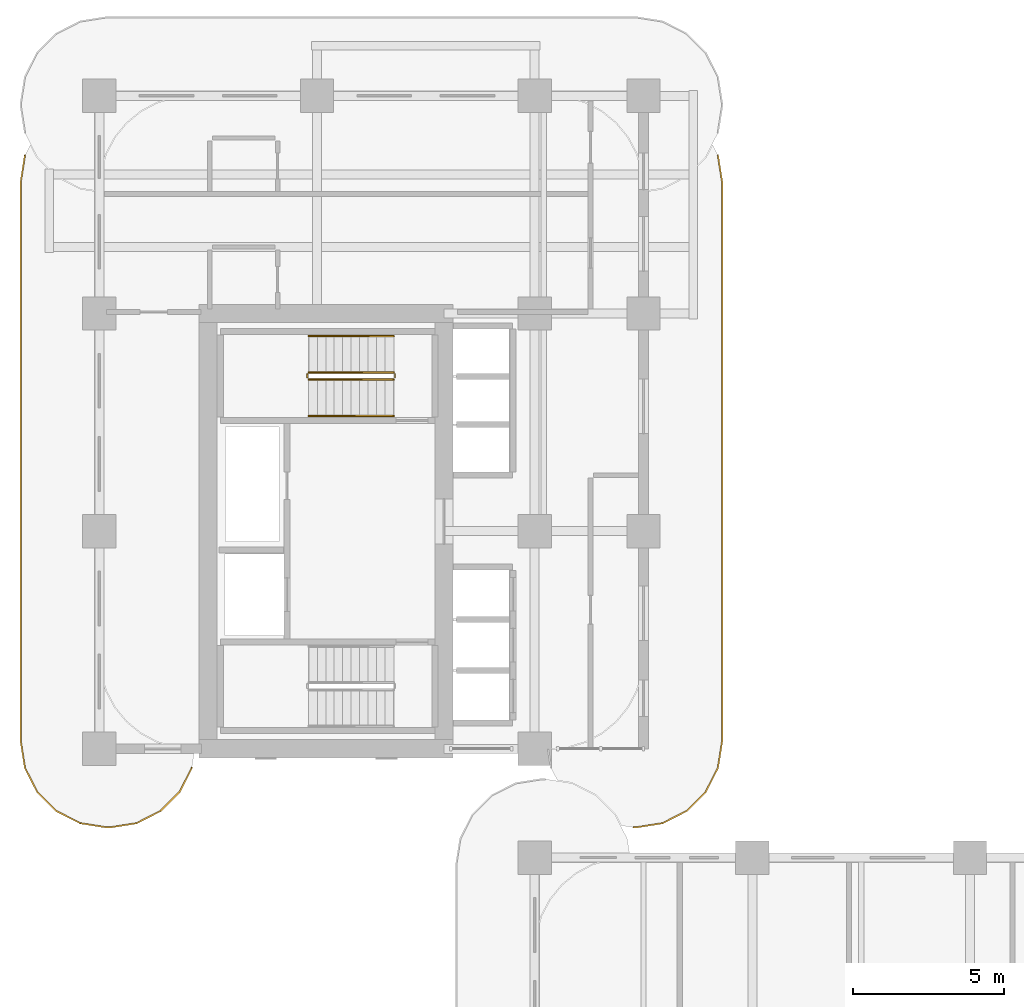
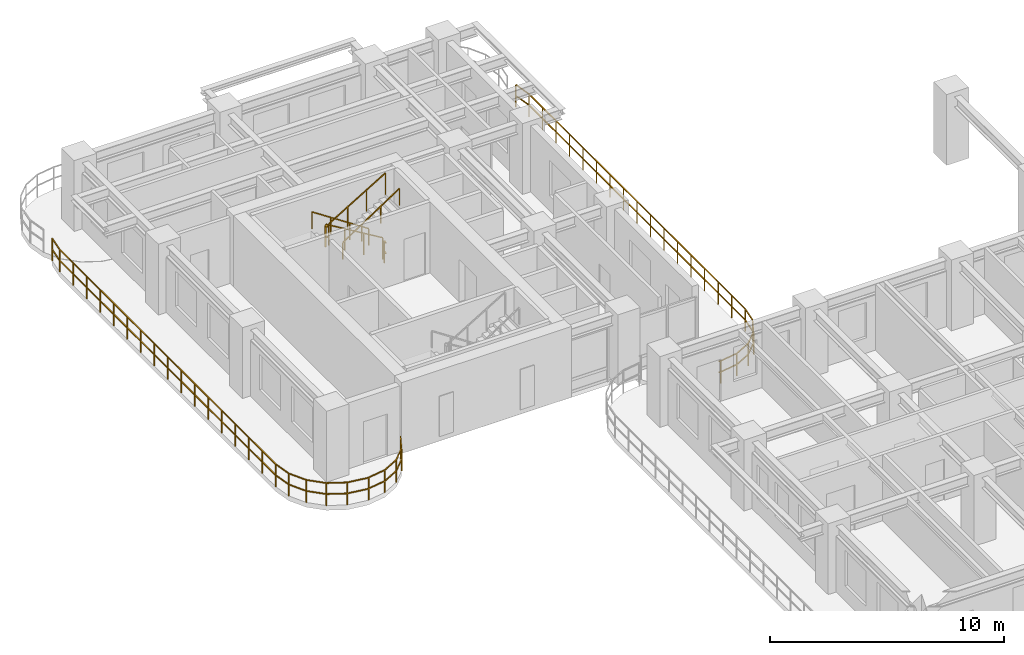
# One storey, part 18 of 19: 8 railings.
"""IFC4 building model written with IfcOpenShell, lengths in metres."""

from ifc_helpers import new_model, si_unit, derived_unit, direction, frame, origin, origin_2d, place, context, subcontext, project, spatial, rectangle, extrude, material, type_object, element, save


model = new_model("IFC4")

# Units and contexts
model_context = context("Model", 3, precision=1e-05, world=origin(), true_north=direction((0.0, 1.0)))
body_context = subcontext(model_context, "Body", "Model", "MODEL_VIEW")
ifc_project = project(units=[si_unit("LENGTHUNIT", "METRE"), si_unit("AREAUNIT", "SQUARE_METRE"), si_unit("VOLUMEUNIT", "CUBIC_METRE"), si_unit("PLANEANGLEUNIT", "RADIAN"), si_unit("MASSUNIT", "GRAM", prefix="KILO"), si_unit("THERMODYNAMICTEMPERATUREUNIT", "KELVIN"), si_unit("POWERUNIT", "WATT"), derived_unit("THERMALTRANSMITTANCEUNIT", [(si_unit("POWERUNIT", "WATT"), 1), (si_unit("AREAUNIT", "SQUARE_METRE"), -1), (si_unit("THERMODYNAMICTEMPERATUREUNIT", "KELVIN"), -1)])], contexts=[model_context])

# Site, building, storey
site_placement = place(None, origin())
site = spatial("IfcSite", under=ifc_project, at=site_placement, CompositionType="ELEMENT")
building_placement = place(site_placement, origin())
building = spatial("IfcBuilding", under=site, at=building_placement, Name="Zahravan Archway Hotel and Residences", CompositionType="ELEMENT")
storey_placement = place(building_placement, frame((0.0, 0.0, 54.60009765625)))
storey = spatial("IfcBuildingStorey", under=building, at=storey_placement, Name="L12", CompositionType="ELEMENT", Elevation=54.60009765625)

# Railings
ifc_material_1 = material(Name="Bronze & Laminated Glass Balustrade", Category="glass")
railing_type_1 = type_object("IfcRailingType", Name="RL-BAL-1200", PredefinedType="BALUSTRADE", material=ifc_material_1)
railing_1_placement = place(storey_placement, frame((3.060546875, 24.5693359375, 0.0)))
element("IfcRailing", 1, at=railing_1_placement, inside=storey, type_object=railing_type_1, Name="L12 Balustrade RL-SLB-BAL-L12-WB-1", PredefinedType="BALUSTRADE", context=body_context, shape_type="SweptSolid", body=[
    extrude(rectangle(XDim=0.048095703125, YDim=0.048095703125, at=origin_2d()), frame((0.0, 0.0, 1.17578125), z_axis=(-0.453991409995, -0.891006060389, 0.0), x_axis=(0.891006060389, -0.453991409995, 0.0)), (0.0, 0.0, 1.0), 0.8916015625),
    extrude(rectangle(XDim=0.048095703125, YDim=0.048095703125, at=origin_2d()), frame((0.0, 0.0, 0.60009765625), z_axis=(-0.453991409995, -0.891006060389, 0.0), x_axis=(0.891006060389, -0.453991409995, 0.0)), (0.0, 0.0, 1.0), 0.8916015625),
    extrude(rectangle(XDim=0.048095703125, YDim=0.048095703125, at=origin_2d()), frame((-0.40478515625, -0.79443359375, 1.17578125), z_axis=(-0.707106781187, -0.707106781187, 0.0), x_axis=(0.707106781187, -0.707106781187, 0.0)), (0.0, 0.0, 1.0), 0.891845703125),
    extrude(rectangle(XDim=0.048095703125, YDim=0.048095703125, at=origin_2d()), frame((-0.40478515625, -0.79443359375, 0.60009765625), z_axis=(-0.707106781187, -0.707106781187, 0.0), x_axis=(0.707106781187, -0.707106781187, 0.0)), (0.0, 0.0, 1.0), 0.891845703125),
    extrude(rectangle(XDim=0.048095703125, YDim=0.048095703125, at=origin_2d()), frame((-1.035400390625, -1.425048828125, 1.17578125), z_axis=(-0.891006060389, -0.453991409995, 0.0), x_axis=(0.453991409995, -0.891006060389, 0.0)), (0.0, 0.0, 1.0), 0.8916015625),
    extrude(rectangle(XDim=0.048095703125, YDim=0.048095703125, at=origin_2d()), frame((-1.035400390625, -1.425048828125, 0.60009765625), z_axis=(-0.891006060389, -0.453991409995, 0.0), x_axis=(0.453991409995, -0.891006060389, 0.0)), (0.0, 0.0, 1.0), 0.8916015625),
    extrude(rectangle(XDim=0.048095703125, YDim=0.048095703125, at=origin_2d()), frame((-1.829833984375, -1.829833984375, 1.17578125), z_axis=(-0.987700720307, -0.156356282588, 0.0), x_axis=(0.156356282588, -0.987700720307, 0.0)), (0.0, 0.0, 1.0), 0.8916015625),
    extrude(rectangle(XDim=0.048095703125, YDim=0.048095703125, at=origin_2d()), frame((-1.829833984375, -1.829833984375, 0.60009765625), z_axis=(-0.987700720307, -0.156356282588, 0.0), x_axis=(0.156356282588, -0.987700720307, 0.0)), (0.0, 0.0, 1.0), 0.8916015625),
    extrude(rectangle(XDim=0.048095703125, YDim=0.048095703125, at=origin_2d()), frame((-2.71044921875, -1.96923828125, 1.17578125), z_axis=(-1.0, 0.0, 0.0), x_axis=(0.0, -1.0, 0.0)), (0.0, 0.0, 1.0), 0.10009765625),
    extrude(rectangle(XDim=0.048095703125, YDim=0.048095703125, at=origin_2d()), frame((-2.71044921875, -1.96923828125, 0.60009765625), z_axis=(-1.0, 0.0, 0.0), x_axis=(0.0, -1.0, 0.0)), (0.0, 0.0, 1.0), 0.10009765625),
    extrude(rectangle(XDim=0.048095703125, YDim=0.048095703125, at=origin_2d()), frame((-2.810546875, -1.96923828125, 1.17578125), z_axis=(-0.987700720307, 0.156356282588, 0.0), x_axis=(-0.156356282588, -0.987700720307, 0.0)), (0.0, 0.0, 1.0), 0.8916015625),
    extrude(rectangle(XDim=0.048095703125, YDim=0.048095703125, at=origin_2d()), frame((-2.810546875, -1.96923828125, 0.60009765625), z_axis=(-0.987700720307, 0.156356282588, 0.0), x_axis=(-0.156356282588, -0.987700720307, 0.0)), (0.0, 0.0, 1.0), 0.8916015625),
    extrude(rectangle(XDim=0.048095703125, YDim=0.048095703125, at=origin_2d()), frame((-3.691162109375, -1.829833984375, 1.17578125), z_axis=(-0.891062476022, 0.45388067135, 0.0), x_axis=(-0.45388067135, -0.891062476022, 0.0)), (0.0, 0.0, 1.0), 0.891845703125),
    extrude(rectangle(XDim=0.048095703125, YDim=0.048095703125, at=origin_2d()), frame((-3.691162109375, -1.829833984375, 0.60009765625), z_axis=(-0.891062476022, 0.45388067135, 0.0), x_axis=(-0.45388067135, -0.891062476022, 0.0)), (0.0, 0.0, 1.0), 0.891845703125),
    extrude(rectangle(XDim=0.048095703125, YDim=0.048095703125, at=origin_2d()), frame((-4.48583984375, -1.425048828125, 1.17578125), z_axis=(-0.706969864397, 0.70724367147, 0.0), x_axis=(-0.70724367147, -0.706969864397, 0.0)), (0.0, 0.0, 1.0), 0.8916015625),
    extrude(rectangle(XDim=0.048095703125, YDim=0.048095703125, at=origin_2d()), frame((-4.48583984375, -1.425048828125, 0.60009765625), z_axis=(-0.706969864397, 0.70724367147, 0.0), x_axis=(-0.70724367147, -0.706969864397, 0.0)), (0.0, 0.0, 1.0), 0.8916015625),
    extrude(rectangle(XDim=0.048095703125, YDim=0.048095703125, at=origin_2d()), frame((-5.1162109375, -0.79443359375, 1.17578125), z_axis=(-0.453991409995, 0.891006060389, 0.0), x_axis=(-0.891006060389, -0.453991409995, 0.0)), (0.0, 0.0, 1.0), 0.8916015625),
    extrude(rectangle(XDim=0.048095703125, YDim=0.048095703125, at=origin_2d()), frame((-5.1162109375, -0.79443359375, 0.60009765625), z_axis=(-0.453991409995, 0.891006060389, 0.0), x_axis=(-0.891006060389, -0.453991409995, 0.0)), (0.0, 0.0, 1.0), 0.8916015625),
    extrude(rectangle(XDim=0.048095703125, YDim=0.048095703125, at=origin_2d()), frame((-5.52099609375, 0.0, 1.17578125), z_axis=(-0.156623399917, 0.987658397726, 0.0), x_axis=(-0.987658397726, -0.156623399917, 0.0)), (0.0, 0.0, 1.0), 0.8916015625),
    extrude(rectangle(XDim=0.048095703125, YDim=0.048095703125, at=origin_2d()), frame((-5.52099609375, 0.0, 0.60009765625), z_axis=(-0.156623399917, 0.987658397726, 0.0), x_axis=(-0.987658397726, -0.156623399917, 0.0)), (0.0, 0.0, 1.0), 0.8916015625),
    extrude(rectangle(XDim=0.048095703125, YDim=0.048095703125, at=origin_2d()), frame((-5.66064453125, 0.880615234375, 1.17578125), z_axis=(0.0, 1.0, 0.0), x_axis=(-1.0, 0.0, 0.0)), (0.0, 0.0, 1.0), 18.5),
    extrude(rectangle(XDim=0.048095703125, YDim=0.048095703125, at=origin_2d()), frame((-5.66064453125, 0.880615234375, 0.60009765625), z_axis=(0.0, 1.0, 0.0), x_axis=(-1.0, 0.0, 0.0)), (0.0, 0.0, 1.0), 18.5),
    extrude(rectangle(XDim=0.048095703125, YDim=0.048095703125, at=origin_2d()), frame((-5.66064453125, 19.380615234375, 1.17578125), z_axis=(0.156581054338, 0.98766511198, 0.0), x_axis=(-0.98766511198, 0.156581054338, 0.0)), (0.0, 0.0, 1.0), 0.891845703125),
    extrude(rectangle(XDim=0.048095703125, YDim=0.048095703125, at=origin_2d()), frame((-5.66064453125, 19.380615234375, 0.60009765625), z_axis=(0.156581054338, 0.98766511198, 0.0), x_axis=(-0.98766511198, 0.156581054338, 0.0)), (0.0, 0.0, 1.0), 0.891845703125),
    extrude(rectangle(XDim=0.0419921875, YDim=0.0419921875, at=origin_2d()), origin(), (0.0, 0.0, 1.0), 1.15185546875),
    extrude(rectangle(XDim=0.0419921875, YDim=0.0419921875, at=origin_2d()), frame((-0.40478515625, -0.79443359375, 0.0)), (0.0, 0.0, 1.0), 1.15185546875),
    extrude(rectangle(XDim=0.0419921875, YDim=0.0419921875, at=origin_2d()), frame((-1.035400390625, -1.425048828125, 0.0)), (0.0, 0.0, 1.0), 1.15185546875),
    extrude(rectangle(XDim=0.0419921875, YDim=0.0419921875, at=origin_2d()), frame((-1.829833984375, -1.829833984375, 0.0)), (0.0, 0.0, 1.0), 1.15185546875),
    extrude(rectangle(XDim=0.0419921875, YDim=0.0419921875, at=origin_2d()), frame((-2.71044921875, -1.96923828125, 0.0)), (0.0, 0.0, 1.0), 1.15185546875),
    extrude(rectangle(XDim=0.0419921875, YDim=0.0419921875, at=origin_2d()), frame((-3.691162109375, -1.829833984375, 0.0)), (0.0, 0.0, 1.0), 1.15185546875),
    extrude(rectangle(XDim=0.0419921875, YDim=0.0419921875, at=origin_2d()), frame((-4.48583984375, -1.425048828125, 0.0)), (0.0, 0.0, 1.0), 1.15185546875),
    extrude(rectangle(XDim=0.0419921875, YDim=0.0419921875, at=origin_2d()), frame((-5.1162109375, -0.79443359375, 0.0)), (0.0, 0.0, 1.0), 1.15185546875),
    extrude(rectangle(XDim=0.0419921875, YDim=0.0419921875, at=origin_2d()), frame((-5.52099609375, 0.0, 0.0)), (0.0, 0.0, 1.0), 1.15185546875),
    extrude(rectangle(XDim=0.0419921875, YDim=0.0419921875, at=origin_2d()), frame((-5.66064453125, 0.880615234375, 0.0)), (0.0, 0.0, 1.0), 1.15185546875),
    extrude(rectangle(XDim=0.0419921875, YDim=0.0419921875, at=origin_2d()), frame((-5.66064453125, 2.036865234375, 0.0)), (0.0, 0.0, 1.0), 1.15185546875),
    extrude(rectangle(XDim=0.0419921875, YDim=0.0419921875, at=origin_2d()), frame((-5.66064453125, 3.193115234375, 0.0)), (0.0, 0.0, 1.0), 1.15185546875),
    extrude(rectangle(XDim=0.0419921875, YDim=0.0419921875, at=origin_2d()), frame((-5.66064453125, 4.349365234375, 0.0)), (0.0, 0.0, 1.0), 1.15185546875),
    extrude(rectangle(XDim=0.0419921875, YDim=0.0419921875, at=origin_2d()), frame((-5.66064453125, 5.505615234375, 0.0)), (0.0, 0.0, 1.0), 1.15185546875),
    extrude(rectangle(XDim=0.0419921875, YDim=0.0419921875, at=origin_2d()), frame((-5.66064453125, 6.661865234375, 0.0)), (0.0, 0.0, 1.0), 1.15185546875),
    extrude(rectangle(XDim=0.0419921875, YDim=0.0419921875, at=origin_2d()), frame((-5.66064453125, 7.818115234375, 0.0)), (0.0, 0.0, 1.0), 1.15185546875),
    extrude(rectangle(XDim=0.0419921875, YDim=0.0419921875, at=origin_2d()), frame((-5.66064453125, 8.974365234375, 0.0)), (0.0, 0.0, 1.0), 1.15185546875),
    extrude(rectangle(XDim=0.0419921875, YDim=0.0419921875, at=origin_2d()), frame((-5.66064453125, 10.130615234375, 0.0)), (0.0, 0.0, 1.0), 1.15185546875),
    extrude(rectangle(XDim=0.0419921875, YDim=0.0419921875, at=origin_2d()), frame((-5.66064453125, 11.286865234375, 0.0)), (0.0, 0.0, 1.0), 1.15185546875),
    extrude(rectangle(XDim=0.0419921875, YDim=0.0419921875, at=origin_2d()), frame((-5.66064453125, 12.443115234375, 0.0)), (0.0, 0.0, 1.0), 1.15185546875),
    extrude(rectangle(XDim=0.0419921875, YDim=0.0419921875, at=origin_2d()), frame((-5.66064453125, 13.599365234375, 0.0)), (0.0, 0.0, 1.0), 1.15185546875),
    extrude(rectangle(XDim=0.0419921875, YDim=0.0419921875, at=origin_2d()), frame((-5.66064453125, 14.755615234375, 0.0)), (0.0, 0.0, 1.0), 1.15185546875),
    extrude(rectangle(XDim=0.0419921875, YDim=0.0419921875, at=origin_2d()), frame((-5.66064453125, 15.911865234375, 0.0)), (0.0, 0.0, 1.0), 1.15185546875),
    extrude(rectangle(XDim=0.0419921875, YDim=0.0419921875, at=origin_2d()), frame((-5.66064453125, 17.068115234375, 0.0)), (0.0, 0.0, 1.0), 1.15185546875),
    extrude(rectangle(XDim=0.0419921875, YDim=0.0419921875, at=origin_2d()), frame((-5.66064453125, 18.224365234375, 0.0)), (0.0, 0.0, 1.0), 1.15185546875),
    extrude(rectangle(XDim=0.0419921875, YDim=0.0419921875, at=origin_2d()), frame((-5.66064453125, 19.380615234375, 0.0)), (0.0, 0.0, 1.0), 1.15185546875),
    extrude(rectangle(XDim=0.0419921875, YDim=0.0419921875, at=origin_2d()), frame((-5.52099609375, 20.261474609375, 0.0)), (0.0, 0.0, 1.0), 1.15185546875),
])
railing_2_placement = place(storey_placement, frame((20.46044921875, 44.830810546875, 0.0)))
element("IfcRailing", 2, at=railing_2_placement, inside=storey, type_object=railing_type_1, Name="L12 Balustrade RL-SLB-BAL-L12-EB-2", PredefinedType="BALUSTRADE", context=body_context, shape_type="SweptSolid", body=[
    extrude(rectangle(XDim=0.048095703125, YDim=0.048095703125, at=origin_2d()), frame((0.0, 0.0, 1.17578125), z_axis=(0.156581054338, -0.98766511198, 0.0), x_axis=(0.98766511198, 0.156581054338, 0.0)), (0.0, 0.0, 1.0), 0.891845703125),
    extrude(rectangle(XDim=0.048095703125, YDim=0.048095703125, at=origin_2d()), frame((0.0, 0.0, 0.60009765625), z_axis=(0.156581054338, -0.98766511198, 0.0), x_axis=(0.98766511198, 0.156581054338, 0.0)), (0.0, 0.0, 1.0), 0.891845703125),
    extrude(rectangle(XDim=0.048095703125, YDim=0.048095703125, at=origin_2d()), frame((0.1396484375, -0.880859375, 1.17578125), z_axis=(0.0, -1.0, 0.0), x_axis=(1.0, 0.0, 0.0)), (0.0, 0.0, 1.0), 18.5),
    extrude(rectangle(XDim=0.048095703125, YDim=0.048095703125, at=origin_2d()), frame((0.1396484375, -0.880859375, 0.60009765625), z_axis=(0.0, -1.0, 0.0), x_axis=(1.0, 0.0, 0.0)), (0.0, 0.0, 1.0), 18.5),
    extrude(rectangle(XDim=0.048095703125, YDim=0.048095703125, at=origin_2d()), frame((0.1396484375, -19.380859375, 1.17578125), z_axis=(-0.156623399917, -0.987658397726, 0.0), x_axis=(0.987658397726, -0.156623399917, 0.0)), (0.0, 0.0, 1.0), 0.8916015625),
    extrude(rectangle(XDim=0.048095703125, YDim=0.048095703125, at=origin_2d()), frame((0.1396484375, -19.380859375, 0.60009765625), z_axis=(-0.156623399917, -0.987658397726, 0.0), x_axis=(0.987658397726, -0.156623399917, 0.0)), (0.0, 0.0, 1.0), 0.8916015625),
    extrude(rectangle(XDim=0.048095703125, YDim=0.048095703125, at=origin_2d()), frame((0.0, -20.261474609375, 1.17578125), z_axis=(-0.453991409995, -0.891006060389, 0.0), x_axis=(0.891006060389, -0.453991409995, 0.0)), (0.0, 0.0, 1.0), 0.8916015625),
    extrude(rectangle(XDim=0.048095703125, YDim=0.048095703125, at=origin_2d()), frame((0.0, -20.261474609375, 0.60009765625), z_axis=(-0.453991409995, -0.891006060389, 0.0), x_axis=(0.891006060389, -0.453991409995, 0.0)), (0.0, 0.0, 1.0), 0.8916015625),
    extrude(rectangle(XDim=0.048095703125, YDim=0.048095703125, at=origin_2d()), frame((-0.40478515625, -21.055908203125, 1.17578125), z_axis=(-0.706969864397, -0.70724367147, 0.0), x_axis=(0.70724367147, -0.706969864397, 0.0)), (0.0, 0.0, 1.0), 0.8916015625),
    extrude(rectangle(XDim=0.048095703125, YDim=0.048095703125, at=origin_2d()), frame((-0.40478515625, -21.055908203125, 0.60009765625), z_axis=(-0.706969864397, -0.70724367147, 0.0), x_axis=(0.70724367147, -0.706969864397, 0.0)), (0.0, 0.0, 1.0), 0.8916015625),
    extrude(rectangle(XDim=0.048095703125, YDim=0.048095703125, at=origin_2d()), frame((-1.03515625, -21.6865234375, 1.17578125), z_axis=(-0.891062476022, -0.45388067135, 0.0), x_axis=(0.45388067135, -0.891062476022, 0.0)), (0.0, 0.0, 1.0), 0.891845703125),
    extrude(rectangle(XDim=0.048095703125, YDim=0.048095703125, at=origin_2d()), frame((-1.03515625, -21.6865234375, 0.60009765625), z_axis=(-0.891062476022, -0.45388067135, 0.0), x_axis=(0.45388067135, -0.891062476022, 0.0)), (0.0, 0.0, 1.0), 0.891845703125),
    extrude(rectangle(XDim=0.048095703125, YDim=0.048095703125, at=origin_2d()), frame((-1.829833984375, -22.09130859375, 1.17578125), z_axis=(-0.987700720307, -0.156356282588, 0.0), x_axis=(0.156356282588, -0.987700720307, 0.0)), (0.0, 0.0, 1.0), 0.8916015625),
    extrude(rectangle(XDim=0.048095703125, YDim=0.048095703125, at=origin_2d()), frame((-1.829833984375, -22.09130859375, 0.60009765625), z_axis=(-0.987700720307, -0.156356282588, 0.0), x_axis=(0.156356282588, -0.987700720307, 0.0)), (0.0, 0.0, 1.0), 0.8916015625),
    extrude(rectangle(XDim=0.048095703125, YDim=0.048095703125, at=origin_2d()), frame((-2.71044921875, -22.230712890625, 1.17578125), z_axis=(-1.0, 0.0, 0.0), x_axis=(0.0, -1.0, 0.0)), (0.0, 0.0, 1.0), 0.10009765625),
    extrude(rectangle(XDim=0.048095703125, YDim=0.048095703125, at=origin_2d()), frame((-2.71044921875, -22.230712890625, 0.60009765625), z_axis=(-1.0, 0.0, 0.0), x_axis=(0.0, -1.0, 0.0)), (0.0, 0.0, 1.0), 0.10009765625),
    extrude(rectangle(XDim=0.0419921875, YDim=0.0419921875, at=origin_2d()), origin(), (0.0, 0.0, 1.0), 1.15185546875),
    extrude(rectangle(XDim=0.0419921875, YDim=0.0419921875, at=origin_2d()), frame((0.1396484375, -0.880859375, 0.0)), (0.0, 0.0, 1.0), 1.15185546875),
    extrude(rectangle(XDim=0.0419921875, YDim=0.0419921875, at=origin_2d()), frame((0.1396484375, -2.037109375, 0.0)), (0.0, 0.0, 1.0), 1.15185546875),
    extrude(rectangle(XDim=0.0419921875, YDim=0.0419921875, at=origin_2d()), frame((0.1396484375, -3.193359375, 0.0)), (0.0, 0.0, 1.0), 1.15185546875),
    extrude(rectangle(XDim=0.0419921875, YDim=0.0419921875, at=origin_2d()), frame((0.1396484375, -4.349609375, 0.0)), (0.0, 0.0, 1.0), 1.15185546875),
    extrude(rectangle(XDim=0.0419921875, YDim=0.0419921875, at=origin_2d()), frame((0.1396484375, -5.505859375, 0.0)), (0.0, 0.0, 1.0), 1.15185546875),
    extrude(rectangle(XDim=0.0419921875, YDim=0.0419921875, at=origin_2d()), frame((0.1396484375, -6.662109375, 0.0)), (0.0, 0.0, 1.0), 1.15185546875),
    extrude(rectangle(XDim=0.0419921875, YDim=0.0419921875, at=origin_2d()), frame((0.1396484375, -7.818359375, 0.0)), (0.0, 0.0, 1.0), 1.15185546875),
    extrude(rectangle(XDim=0.0419921875, YDim=0.0419921875, at=origin_2d()), frame((0.1396484375, -8.974609375, 0.0)), (0.0, 0.0, 1.0), 1.15185546875),
    extrude(rectangle(XDim=0.0419921875, YDim=0.0419921875, at=origin_2d()), frame((0.1396484375, -10.130859375, 0.0)), (0.0, 0.0, 1.0), 1.15185546875),
    extrude(rectangle(XDim=0.0419921875, YDim=0.0419921875, at=origin_2d()), frame((0.1396484375, -11.287109375, 0.0)), (0.0, 0.0, 1.0), 1.15185546875),
    extrude(rectangle(XDim=0.0419921875, YDim=0.0419921875, at=origin_2d()), frame((0.1396484375, -12.443359375, 0.0)), (0.0, 0.0, 1.0), 1.15185546875),
    extrude(rectangle(XDim=0.0419921875, YDim=0.0419921875, at=origin_2d()), frame((0.1396484375, -13.599609375, 0.0)), (0.0, 0.0, 1.0), 1.15185546875),
    extrude(rectangle(XDim=0.0419921875, YDim=0.0419921875, at=origin_2d()), frame((0.1396484375, -14.755859375, 0.0)), (0.0, 0.0, 1.0), 1.15185546875),
    extrude(rectangle(XDim=0.0419921875, YDim=0.0419921875, at=origin_2d()), frame((0.1396484375, -15.912109375, 0.0)), (0.0, 0.0, 1.0), 1.15185546875),
    extrude(rectangle(XDim=0.0419921875, YDim=0.0419921875, at=origin_2d()), frame((0.1396484375, -17.068359375, 0.0)), (0.0, 0.0, 1.0), 1.15185546875),
    extrude(rectangle(XDim=0.0419921875, YDim=0.0419921875, at=origin_2d()), frame((0.1396484375, -18.224609375, 0.0)), (0.0, 0.0, 1.0), 1.15185546875),
    extrude(rectangle(XDim=0.0419921875, YDim=0.0419921875, at=origin_2d()), frame((0.1396484375, -19.380859375, 0.0)), (0.0, 0.0, 1.0), 1.15185546875),
    extrude(rectangle(XDim=0.0419921875, YDim=0.0419921875, at=origin_2d()), frame((0.0, -20.261474609375, 0.0)), (0.0, 0.0, 1.0), 1.15185546875),
    extrude(rectangle(XDim=0.0419921875, YDim=0.0419921875, at=origin_2d()), frame((-0.40478515625, -21.055908203125, 0.0)), (0.0, 0.0, 1.0), 1.15185546875),
    extrude(rectangle(XDim=0.0419921875, YDim=0.0419921875, at=origin_2d()), frame((-1.03515625, -21.6865234375, 0.0)), (0.0, 0.0, 1.0), 1.15185546875),
    extrude(rectangle(XDim=0.0419921875, YDim=0.0419921875, at=origin_2d()), frame((-1.829833984375, -22.09130859375, 0.0)), (0.0, 0.0, 1.0), 1.15185546875),
    extrude(rectangle(XDim=0.0419921875, YDim=0.0419921875, at=origin_2d()), frame((-2.71044921875, -22.230712890625, 0.0)), (0.0, 0.0, 1.0), 1.15185546875),
])
ifc_material_2 = material(Name="Painted Tubular Steel", Category="steel")
railing_type_2 = type_object("IfcRailingType", Name="RL-STG-1150", PredefinedType="GUARDRAIL", material=ifc_material_2)
railing_3_placement = place(storey_placement, frame((9.72998046875, 37.64990234375, 0.16796875)))
element("IfcRailing", 3, at=railing_3_placement, inside=storey, type_object=railing_type_2, Name="L12 ST-B2 stair guard 1", PredefinedType="GUARDRAIL", context=body_context, shape_type="SweptSolid", body=[
    extrude(rectangle(XDim=0.048095703125, YDim=0.048095703125, at=origin_2d()), frame((0.0, 0.0, 1.1259765625), z_axis=(-0.857242210791, 0.0, 0.514913383045), x_axis=(0.0, -1.0, 0.0)), (0.0, 0.0, 1.0), 3.266357421875),
    extrude(rectangle(XDim=0.0419921875, YDim=0.0419921875, at=origin_2d()), origin(), (0.0, 0.0, 1.0), 1.101806640625),
    extrude(rectangle(XDim=0.0419921875, YDim=0.0419921875, at=origin_2d()), frame((-0.933349609375, 0.0, 0.560546875)), (0.0, 0.0, 1.0), 1.101806640625),
    extrude(rectangle(XDim=0.0419921875, YDim=0.0419921875, at=origin_2d()), frame((-1.86669921875, 0.0, 1.121337890625)), (0.0, 0.0, 1.0), 1.101806640625),
    extrude(rectangle(XDim=0.0419921875, YDim=0.0419921875, at=origin_2d()), frame((-2.800048828125, 0.0, 1.681884765625)), (0.0, 0.0, 1.0), 1.101806640625),
])
railing_4_placement = place(storey_placement, frame((6.8798828125, 37.60009765625, 1.849853515625)))
element("IfcRailing", 4, at=railing_4_placement, inside=storey, type_object=railing_type_2, Name="L12 ST-B2 stair guard 2", PredefinedType="GUARDRAIL", context=body_context, shape_type="SweptSolid", body=[
    extrude(rectangle(XDim=0.048095703125, YDim=0.048095703125, at=origin_2d()), frame((0.0, 0.0, 1.1259765625), z_axis=(0.0, -1.0, 0.0), x_axis=(1.0, 0.0, 0.0)), (0.0, 0.0, 1.0), 0.14013671875),
    extrude(rectangle(XDim=0.048095703125, YDim=0.048095703125, at=origin_2d()), frame((0.0, 0.0, 0.574951171875), z_axis=(0.0, -1.0, 0.0), x_axis=(1.0, 0.0, 0.0)), (0.0, 0.0, 1.0), 0.14013671875),
    extrude(rectangle(XDim=0.0419921875, YDim=0.0419921875, at=origin_2d()), origin(), (0.0, 0.0, 1.0), 1.101806640625),
])
railing_5_placement = place(storey_placement, frame((6.929931640625, 37.409912109375, 2.01806640625)))
element("IfcRailing", 5, at=railing_5_placement, inside=storey, type_object=railing_type_2, Name="L12 ST-B2 stair guard 3", PredefinedType="GUARDRAIL", context=body_context, shape_type="SweptSolid", body=[
    extrude(rectangle(XDim=0.048095703125, YDim=0.048095703125, at=origin_2d()), frame((0.0, 0.0, 1.1259765625), z_axis=(0.857242210791, 0.0, 0.514913383045), x_axis=(0.0, 1.0, 0.0)), (0.0, 0.0, 1.0), 3.266357421875),
    extrude(rectangle(XDim=0.0419921875, YDim=0.0419921875, at=origin_2d()), origin(), (0.0, 0.0, 1.0), 1.101806640625),
    extrude(rectangle(XDim=0.0419921875, YDim=0.0419921875, at=origin_2d()), frame((0.933349609375, 0.0, 0.560546875)), (0.0, 0.0, 1.0), 1.101806640625),
    extrude(rectangle(XDim=0.0419921875, YDim=0.0419921875, at=origin_2d()), frame((1.86669921875, 0.0, 1.121337890625)), (0.0, 0.0, 1.0), 1.101806640625),
    extrude(rectangle(XDim=0.0419921875, YDim=0.0419921875, at=origin_2d()), frame((2.800048828125, 0.0, 1.681884765625)), (0.0, 0.0, 1.0), 1.101806640625),
])
railing_6_placement = place(storey_placement, frame((9.780029296875, 37.60009765625, 0.0)))
element("IfcRailing", 6, at=railing_6_placement, inside=storey, type_object=railing_type_2, Name="L12 ST-B2 stair guard 4", PredefinedType="GUARDRAIL", context=body_context, shape_type="SweptSolid", body=[
    extrude(rectangle(XDim=0.048095703125, YDim=0.048095703125, at=origin_2d()), frame((0.0, 0.0, 1.1259765625), z_axis=(0.0, -1.0, 0.0), x_axis=(1.0, 0.0, 0.0)), (0.0, 0.0, 1.0), 0.14013671875),
    extrude(rectangle(XDim=0.048095703125, YDim=0.048095703125, at=origin_2d()), frame((0.0, 0.0, 0.574951171875), z_axis=(0.0, -1.0, 0.0), x_axis=(1.0, 0.0, 0.0)), (0.0, 0.0, 1.0), 0.14013671875),
    extrude(rectangle(XDim=0.0419921875, YDim=0.0419921875, at=origin_2d()), origin(), (0.0, 0.0, 1.0), 1.101806640625),
])
ifc_material_3 = material(Name="Brushed Stainless Steel", Category="steel")
railing_type_3 = type_object("IfcRailingType", Name="RL-STH-900", PredefinedType="HANDRAIL", material=ifc_material_3)
railing_7_placement = place(storey_placement, frame((9.72998046875, 38.85009765625, 0.16796875)))
element("IfcRailing", 7, at=railing_7_placement, inside=storey, type_object=railing_type_3, Name="L12 ST-B2 stair handrail 1", PredefinedType="HANDRAIL", context=body_context, shape_type="SweptSolid", body=[
    extrude(rectangle(XDim=0.048095703125, YDim=0.048095703125, at=origin_2d()), frame((0.0, 0.0, 0.8759765625), z_axis=(-0.834326358476, 0.0, 0.551270829586), x_axis=(0.0, -1.0, 0.0)), (0.0, 0.0, 1.0), 3.35595703125),
    extrude(rectangle(XDim=0.0419921875, YDim=0.0419921875, at=origin_2d()), origin(), (0.0, 0.0, 1.0), 0.851806640625),
    extrude(rectangle(XDim=0.0419921875, YDim=0.0419921875, at=origin_2d()), frame((-0.933349609375, 0.0, 0.61669921875)), (0.0, 0.0, 1.0), 0.851806640625),
    extrude(rectangle(XDim=0.0419921875, YDim=0.0419921875, at=origin_2d()), frame((-1.86669921875, 0.0, 1.2333984375)), (0.0, 0.0, 1.0), 0.851806640625),
    extrude(rectangle(XDim=0.0419921875, YDim=0.0419921875, at=origin_2d()), frame((-2.800048828125, 0.0, 1.85009765625)), (0.0, 0.0, 1.0), 0.851806640625),
])
railing_8_placement = place(storey_placement, frame((6.929931640625, 36.2099609375, 2.01806640625)))
element("IfcRailing", 8, at=railing_8_placement, inside=storey, type_object=railing_type_3, Name="L12 ST-B2 stair handrail 2", PredefinedType="HANDRAIL", context=body_context, shape_type="SweptSolid", body=[
    extrude(rectangle(XDim=0.048095703125, YDim=0.048095703125, at=origin_2d()), frame((0.0, 0.0, 0.8759765625), z_axis=(0.834326358476, 0.0, 0.551270829586), x_axis=(0.0, 1.0, 0.0)), (0.0, 0.0, 1.0), 3.35595703125),
    extrude(rectangle(XDim=0.0419921875, YDim=0.0419921875, at=origin_2d()), origin(), (0.0, 0.0, 1.0), 0.851806640625),
    extrude(rectangle(XDim=0.0419921875, YDim=0.0419921875, at=origin_2d()), frame((0.933349609375, 0.0, 0.61669921875)), (0.0, 0.0, 1.0), 0.851806640625),
    extrude(rectangle(XDim=0.0419921875, YDim=0.0419921875, at=origin_2d()), frame((1.86669921875, 0.0, 1.2333984375)), (0.0, 0.0, 1.0), 0.851806640625),
    extrude(rectangle(XDim=0.0419921875, YDim=0.0419921875, at=origin_2d()), frame((2.800048828125, 0.0, 1.85009765625)), (0.0, 0.0, 1.0), 0.851806640625),
])

save(model, "model.ifc")
